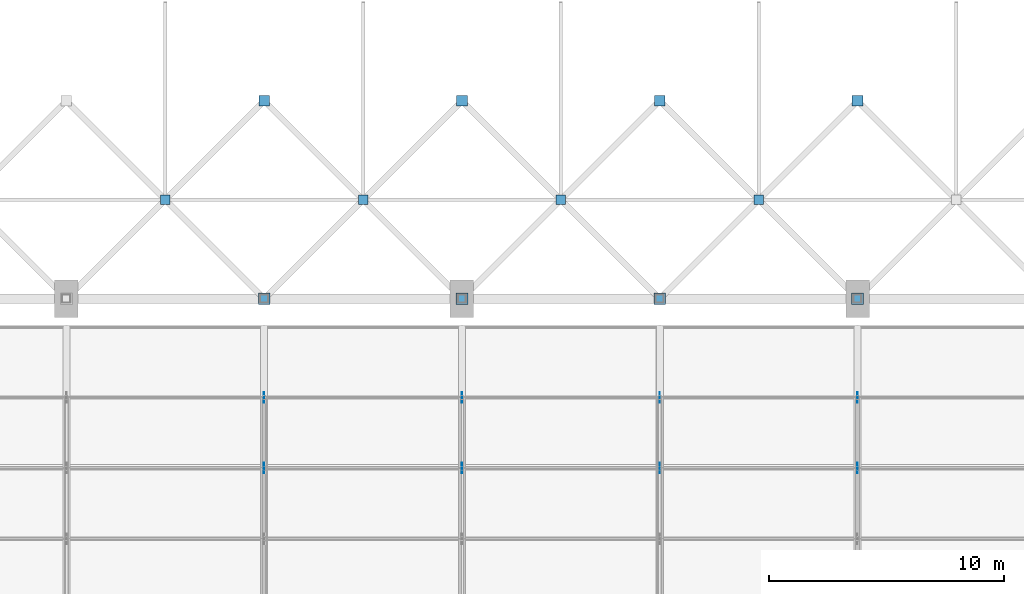
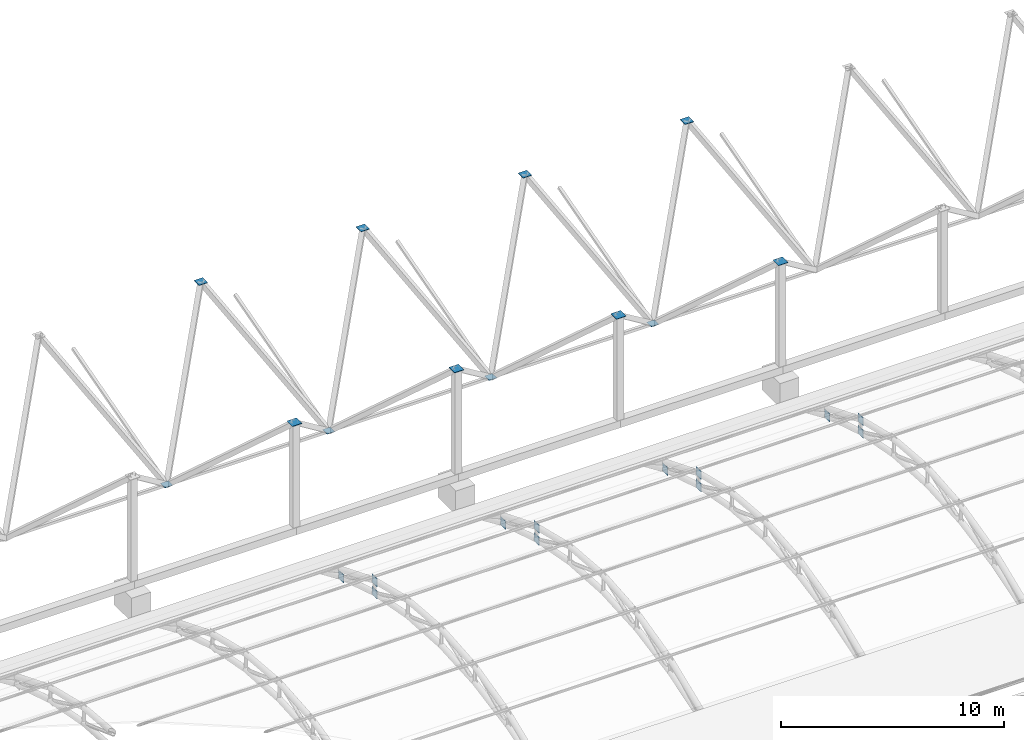
# One storey, part 123 of 163: 24 discrete accessories.
"""IFC4 building model written with IfcOpenShell, lengths in metres."""

import ifcopenshell
import ifcopenshell.guid

model = None  # the IFC model being written
_history = None  # IfcOwnerHistory: only IFC2X3 demands one
_inside = {}  # id of a spatial element -> (the spatial element, [elements in it])
_under = {}  # id of a project, library or spatial element -> (it, [spatial elements below it])
_declared = {}  # id of a project -> (the project, [libraries it declares])
_typed = {}  # id of a type object -> (the type object, [elements of that type])
_made_of = {}  # id of a material, layer set ... -> (it, [elements and type objects made of it])


def new_model(schema):
    """Start an empty IFC model of exactly this schema.

    Asked for "IFC4X3", IfcOpenShell would pick the latest addendum, in which some entities
    have other attributes; the version numbers below select the first issue.
    IFC2X3 requires an IfcOwnerHistory on every rooted entity: one is made here for all.
    """
    global model, _history
    if schema == "IFC4X3":
        model = ifcopenshell.file(schema_version=(4, 3, 0, 0))
    else:
        model = ifcopenshell.file(schema=schema)
    _inside.clear()
    _under.clear()
    _declared.clear()
    _typed.clear()
    _made_of.clear()
    _history = None
    if model.schema == "IFC2X3":
        org = make("IfcOrganization", Name="unknown")
        user = make(
            "IfcPersonAndOrganization",
            ThePerson=make("IfcPerson", FamilyName="unknown"),
            TheOrganization=org,
        )
        app = make(
            "IfcApplication",
            ApplicationDeveloper=org,
            Version="unknown",
            ApplicationFullName="unknown",
            ApplicationIdentifier="unknown",
        )
        _history = make(
            "IfcOwnerHistory",
            OwningUser=user,
            OwningApplication=app,
            ChangeAction="ADDED",
            CreationDate=0,
        )
    return model


def make(cls, **values):
    """One entity of the class cls with the attributes given. An attribute that is None is left unset."""
    return model.create_entity(
        cls, **{name: value for name, value in values.items() if value is not None}
    )


def rooted(cls, **values):
    """An entity with a GlobalId (a new one), such as an element, a storey or a relation."""
    return make(cls, GlobalId=ifcopenshell.guid.new(), OwnerHistory=_history, **values)


def si_unit(unit_type, name, prefix=None):
    """IfcSIUnit, for example si_unit("LENGTHUNIT", "METRE", prefix="MILLI")."""
    return make("IfcSIUnit", UnitType=unit_type, Prefix=prefix, Name=name)


def assignment(units):
    """IfcUnitAssignment: the units of a project."""
    return None if units is None else make("IfcUnitAssignment", Units=units)


def point(xyz):
    """IfcCartesianPoint."""
    return None if xyz is None else make("IfcCartesianPoint", Coordinates=xyz)


def direction(xyz):
    """IfcDirection."""
    return None if xyz is None else make("IfcDirection", DirectionRatios=xyz)


def frame(location, z_axis=None, x_axis=None):
    """IfcAxis2Placement3D, a coordinate frame: its origin and axes. An axis left out is left unset."""
    return make(
        "IfcAxis2Placement3D",
        Location=point(location),
        Axis=direction(z_axis),
        RefDirection=direction(x_axis),
    )


def frame_2d(location, x_axis=None):
    """IfcAxis2Placement2D, a coordinate frame in the plane: its origin and x axis."""
    return make(
        "IfcAxis2Placement2D", Location=point(location), RefDirection=direction(x_axis)
    )


def origin():
    """The frame at (0, 0, 0) with its axes left unset."""
    return frame((0.0, 0.0, 0.0))


def origin_2d():
    """The frame at (0, 0) in the plane with its x axis left unset."""
    return frame_2d((0.0, 0.0))


def place(relative_to, where):
    """IfcLocalPlacement: puts the frame where relative to a parent placement (None: the world)."""
    return make(
        "IfcLocalPlacement", PlacementRelTo=relative_to, RelativePlacement=where
    )


def context(
    kind, dimensions, precision=None, world=None, true_north=None, identifier=None
):
    """IfcGeometricRepresentationContext, for example the 3D "Model" context."""
    return make(
        "IfcGeometricRepresentationContext",
        ContextIdentifier=identifier,
        ContextType=kind,
        CoordinateSpaceDimension=dimensions,
        Precision=precision,
        WorldCoordinateSystem=world,
        TrueNorth=true_north,
    )


def subcontext(parent, identifier, kind, view, scale=None):
    """IfcGeometricRepresentationSubContext, for example "Body" below "Model"."""
    return make(
        "IfcGeometricRepresentationSubContext",
        ContextIdentifier=identifier,
        ContextType=kind,
        ParentContext=parent,
        TargetScale=scale,
        TargetView=view,
    )


def project(units=None, contexts=None):
    """IfcProject with its units and contexts."""
    return rooted(
        "IfcProject",
        Name="project",
        RepresentationContexts=contexts,
        UnitsInContext=assignment(units),
    )


def spatial(cls, under=None, at=None, **own):
    """A site, building, storey or space (cls), placed at a placement, below another one or the project."""
    s = rooted(cls, ObjectPlacement=at, **own)
    if under is not None:
        _under.setdefault(under.id(), (under, []))[1].append(s)
    return s


def profile(cls, at=None, kind="AREA", **sizes):
    """A parametric profile (cls). Its sizes go by their IFC names, for example OverallWidth=200.0."""
    return make(cls, ProfileType=kind, Position=at, **sizes)


def rectangle(**sizes):
    """IfcRectangleProfileDef."""
    return profile("IfcRectangleProfileDef", **sizes)


def extrude(swept, where, along, depth):
    """IfcExtrudedAreaSolid: the profile swept, set in the frame where, extruded along a direction by depth."""
    return make(
        "IfcExtrudedAreaSolid",
        SweptArea=swept,
        Position=where,
        ExtrudedDirection=direction(along),
        Depth=depth,
    )


def shape(context_of_items, identifier, shape_type, items):
    """IfcShapeRepresentation: the items that make up one representation, for example the "Body"."""
    return make(
        "IfcShapeRepresentation",
        ContextOfItems=context_of_items,
        RepresentationIdentifier=identifier,
        RepresentationType=shape_type,
        Items=items,
    )


def material(Name=None, Category=None):
    """IfcMaterial."""
    return make("IfcMaterial", Name=Name, Category=Category)


def layer(
    of_material, thickness, ventilated=None, Name=None, Category=None, Priority=None
):
    """IfcMaterialLayer: one layer of a wall or slab, of a material (None: an air gap)."""
    return make(
        "IfcMaterialLayer",
        Material=of_material,
        LayerThickness=thickness,
        IsVentilated=ventilated,
        Name=Name,
        Category=Category,
        Priority=Priority,
    )


def layer_set(layers, Name=None):
    """IfcMaterialLayerSet."""
    return make("IfcMaterialLayerSet", MaterialLayers=layers, LayerSetName=Name)


def made_of(thing, what):
    """Note that an element or type object is made of a material, layer set ...; save() writes the relation."""
    if what is not None:
        _made_of.setdefault(what.id(), (what, []))[1].append(thing)
    return thing


def type_object(cls, material=None, **own):
    """A type object (cls), such as IfcWallType, which elements share."""
    return made_of(rooted(cls, **own), material)


def element(
    cls,
    number,
    at=None,
    inside=None,
    cuts=None,
    type_object=None,
    material=None,
    context=None,
    identifier="Body",
    shape_type=None,
    held_by="IfcProductDefinitionShape",
    body=None,
    shapes=None,
    **own,
):
    """One element of the class cls, such as IfcWall. Its Tag is "e" and its number.

    at: its placement. inside: the storey or other place that contains it. cuts: it is an
    opening in that element (IfcRelVoidsElement). A single representation is given by context,
    identifier, shape_type and body (its items); several are given by shapes. held_by: the class
    of the entity that holds the representations. save() writes the other relations.
    """
    e = rooted(cls, Tag="e%d" % number, ObjectPlacement=at, **own)
    if body is not None:
        shapes = [shape(context, identifier, shape_type, body)]
    if shapes is not None:
        e.Representation = make(held_by, Representations=shapes)
    if inside is not None:
        _inside.setdefault(inside.id(), (inside, []))[1].append(e)
    if cuts is not None:
        rooted(
            "IfcRelVoidsElement", RelatingBuildingElement=cuts, RelatedOpeningElement=e
        )
    if type_object is not None:
        _typed.setdefault(type_object.id(), (type_object, []))[1].append(e)
    return made_of(e, material)


def aggregate(whole, parts):
    """IfcRelAggregates: a whole, such as a stair, and the parts it consists of."""
    return rooted("IfcRelAggregates", RelatingObject=whole, RelatedObjects=parts)


def save(model, path):
    """Write the relations noted so far, then the file.

    IfcRelAggregates (storeys below a building ...), IfcRelContainedInSpatialStructure (elements
    in a storey), IfcRelDefinesByType, IfcRelAssociatesMaterial and IfcRelDeclares: one each for
    every whole, place, type object, material and project.
    """
    for whole, parts in _under.values():
        aggregate(whole, parts)
    for where, things in _inside.values():
        rooted(
            "IfcRelContainedInSpatialStructure",
            RelatedElements=things,
            RelatingStructure=where,
        )
    for kind, things in _typed.values():
        rooted("IfcRelDefinesByType", RelatedObjects=things, RelatingType=kind)
    for what, things in _made_of.values():
        rooted("IfcRelAssociatesMaterial", RelatedObjects=things, RelatingMaterial=what)
    for by, libraries in _declared.values():
        rooted("IfcRelDeclares", RelatingContext=by, RelatedDefinitions=libraries)
    model.write(path)


model = new_model("IFC4")

# Units and contexts
model_context = context("Model", 3, precision=1e-05, world=origin(), true_north=direction((0.0, 1.0)))
body_context = subcontext(model_context, "Body", "Model", "MODEL_VIEW")
ifc_project = project(units=[si_unit("LENGTHUNIT", "METRE"), si_unit("AREAUNIT", "SQUARE_METRE"), si_unit("VOLUMEUNIT", "CUBIC_METRE"), si_unit("PLANEANGLEUNIT", "RADIAN"), si_unit("MASSUNIT", "GRAM", prefix="KILO")], contexts=[model_context])

# Site, building, storey
site_placement = place(None, origin())
site = spatial("IfcSite", under=ifc_project, at=site_placement, CompositionType="ELEMENT")
building_placement = place(site_placement, origin())
building = spatial("IfcBuilding", under=site, at=building_placement, Name="Rain Tree Exposition and Congress Centre", CompositionType="ELEMENT")
storey_placement = place(building_placement, frame((0.0, 0.0, 10.5)))
storey = spatial("IfcBuildingStorey", under=building, at=storey_placement, Name="L02", CompositionType="ELEMENT", Elevation=10.5)

# Discrete accessories
ifc_material_1 = material(Name="Steel plate S355J2", Category="steel")
ifc_layer_1 = layer(ifc_material_1, 0.02001953125)
ifc_layer_set_1 = layer_set([ifc_layer_1], Name="Steel plate S355J2")
discrete_accessory_type_1 = type_object("IfcDiscreteAccessoryType", Name="Brace node plate 400x400x20", PredefinedType="BRACKET", material=ifc_layer_set_1)
for number, where, z_axis, x_axis, name in (
    (1, (29.39990234375, 105.0, 2.863525390625), (0.0, 0.0, 1.0), (1.0, 0.0, 0.0), "Brace node plate 400"),
    (2, (37.800048828125, 105.0, 2.863525390625), (0.0, 0.0, 1.0), (1.0, 0.0, 0.0), "Brace node plate 400"),
    (3, (46.199951171875, 105.0, 2.863525390625), (0.0, 0.0, 1.0), (1.0, 0.0, 0.0), "Brace node plate 400"),
    (4, (54.60009765625, 105.0, 2.863525390625), (0.0, 0.0, 1.0), (1.0, 0.0, 0.0), "Brace node plate 400"),
):
    element("IfcDiscreteAccessory", number, at=place(storey_placement, frame(where, z_axis=z_axis, x_axis=x_axis)), inside=storey, type_object=discrete_accessory_type_1, Name=name, PredefinedType="BRACKET", context=body_context, shape_type="SweptSolid", body=[
        extrude(rectangle(XDim=0.39990234375, YDim=0.39990234375, at=origin_2d()), origin(), (0.0, 0.0, 1.0), 0.02001953125),
    ])
ifc_material_2 = material(Name="Steel plate S355J2", Category="steel")
ifc_layer_2 = layer(ifc_material_2, 0.02001953125)
ifc_layer_set_2 = layer_set([ifc_layer_2], Name="Steel plate S355J2")
discrete_accessory_type_2 = type_object("IfcDiscreteAccessoryType", Name="Brace node plate 450x450x20", PredefinedType="BRACKET", material=ifc_layer_set_2)
for number, where, z_axis, x_axis, name in (
    (5, (33.60009765625, 109.199951171875, 9.956787109375), (0.0, 0.0, 1.0), (1.0, 0.0, 0.0), "Brace node plate 450"),
    (6, (42.0, 109.199951171875, 9.956787109375), (0.0, 0.0, 1.0), (1.0, 0.0, 0.0), "Brace node plate 450"),
    (7, (50.39990234375, 109.199951171875, 9.956787109375), (0.0, 0.0, 1.0), (1.0, 0.0, 0.0), "Brace node plate 450"),
    (8, (58.800048828125, 109.199951171875, 9.956787109375), (0.0, 0.0, 1.0), (1.0, 0.0, 0.0), "Brace node plate 450"),
):
    element("IfcDiscreteAccessory", number, at=place(storey_placement, frame(where, z_axis=z_axis, x_axis=x_axis)), inside=storey, type_object=discrete_accessory_type_2, Name=name, PredefinedType="BRACKET", context=body_context, shape_type="SweptSolid", body=[
        extrude(rectangle(XDim=0.449951171875, YDim=0.449951171875, at=origin_2d()), origin(), (0.0, 0.0, 1.0), 0.02001953125),
    ])
for number, where, z_axis, x_axis, name in (
    (9, (33.60009765625, 93.60009765625, 2.15478515625), (0.0, 0.0, 1.0), (0.0, -1.0, 0.0), "Brace node plate 450"),
    (10, (33.60009765625, 96.60009765625, 1.21728515625), (0.0, 0.0, 1.0), (0.0, -1.0, 0.0), "Brace node plate 450"),
    (11, (33.60009765625, 93.60009765625, 2.830078125), (0.0, 0.0, 1.0), (0.0, 1.0, 0.0), "Brace node plate 450"),
    (12, (42.0, 93.60009765625, 2.15478515625), (0.0, 0.0, 1.0), (0.0, -1.0, 0.0), "Brace node plate 450"),
    (13, (42.0, 96.60009765625, 1.21728515625), (0.0, 0.0, 1.0), (0.0, -1.0, 0.0), "Brace node plate 450"),
    (14, (42.0, 93.60009765625, 2.830078125), (0.0, 0.0, 1.0), (0.0, 1.0, 0.0), "Brace node plate 450"),
    (15, (50.39990234375, 93.60009765625, 2.15478515625), (0.0, 0.0, 1.0), (0.0, -1.0, 0.0), "Brace node plate 450"),
    (16, (50.39990234375, 96.60009765625, 1.21728515625), (0.0, 0.0, 1.0), (0.0, -1.0, 0.0), "Brace node plate 450"),
    (17, (50.39990234375, 93.60009765625, 2.830078125), (0.0, 0.0, 1.0), (0.0, 1.0, 0.0), "Brace node plate 450"),
    (18, (58.800048828125, 93.60009765625, 2.15478515625), (0.0, 0.0, 1.0), (0.0, -1.0, 0.0), "Brace node plate 450"),
    (19, (58.800048828125, 96.60009765625, 1.21728515625), (0.0, 0.0, 1.0), (0.0, -1.0, 0.0), "Brace node plate 450"),
    (20, (58.800048828125, 93.60009765625, 2.830078125), (0.0, 0.0, 1.0), (0.0, 1.0, 0.0), "Brace node plate 450"),
):
    element("IfcDiscreteAccessory", number, at=place(storey_placement, frame(where, z_axis=z_axis, x_axis=x_axis)), inside=storey, type_object=discrete_accessory_type_2, Name=name, PredefinedType="BRACKET", context=body_context, shape_type="SweptSolid", body=[
        extrude(rectangle(XDim=0.449951171875, YDim=0.02001953125, at=origin_2d()), origin(), (0.0, 0.0, 1.0), 0.449951171875),
    ])
ifc_material_3 = material(Name="Steel plate S355J2", Category="steel")
ifc_layer_3 = layer(ifc_material_3, 0.02001953125)
ifc_layer_set_3 = layer_set([ifc_layer_3], Name="Steel plate S355J2")
discrete_accessory_type_3 = type_object("IfcDiscreteAccessoryType", Name="Brace node plate 500x500x20", PredefinedType="BRACKET", material=ifc_layer_set_3)
for number, where, z_axis, x_axis, name in (
    (21, (33.60009765625, 100.800048828125, 7.340087890625), (0.0, 0.0, 1.0), (1.0, 0.0, 0.0), "Brace node plate 500"),
    (22, (42.0, 100.800048828125, 7.340087890625), (0.0, 0.0, 1.0), (1.0, 0.0, 0.0), "Brace node plate 500"),
    (23, (50.39990234375, 100.800048828125, 7.340087890625), (0.0, 0.0, 1.0), (1.0, 0.0, 0.0), "Brace node plate 500"),
    (24, (58.800048828125, 100.800048828125, 7.340087890625), (0.0, 0.0, 1.0), (1.0, 0.0, 0.0), "Brace node plate 500"),
):
    element("IfcDiscreteAccessory", number, at=place(storey_placement, frame(where, z_axis=z_axis, x_axis=x_axis)), inside=storey, type_object=discrete_accessory_type_3, Name=name, PredefinedType="BRACKET", context=body_context, shape_type="SweptSolid", body=[
        extrude(rectangle(XDim=0.5, YDim=0.5, at=origin_2d()), origin(), (0.0, 0.0, 1.0), 0.02001953125),
    ])

save(model, "model.ifc")
